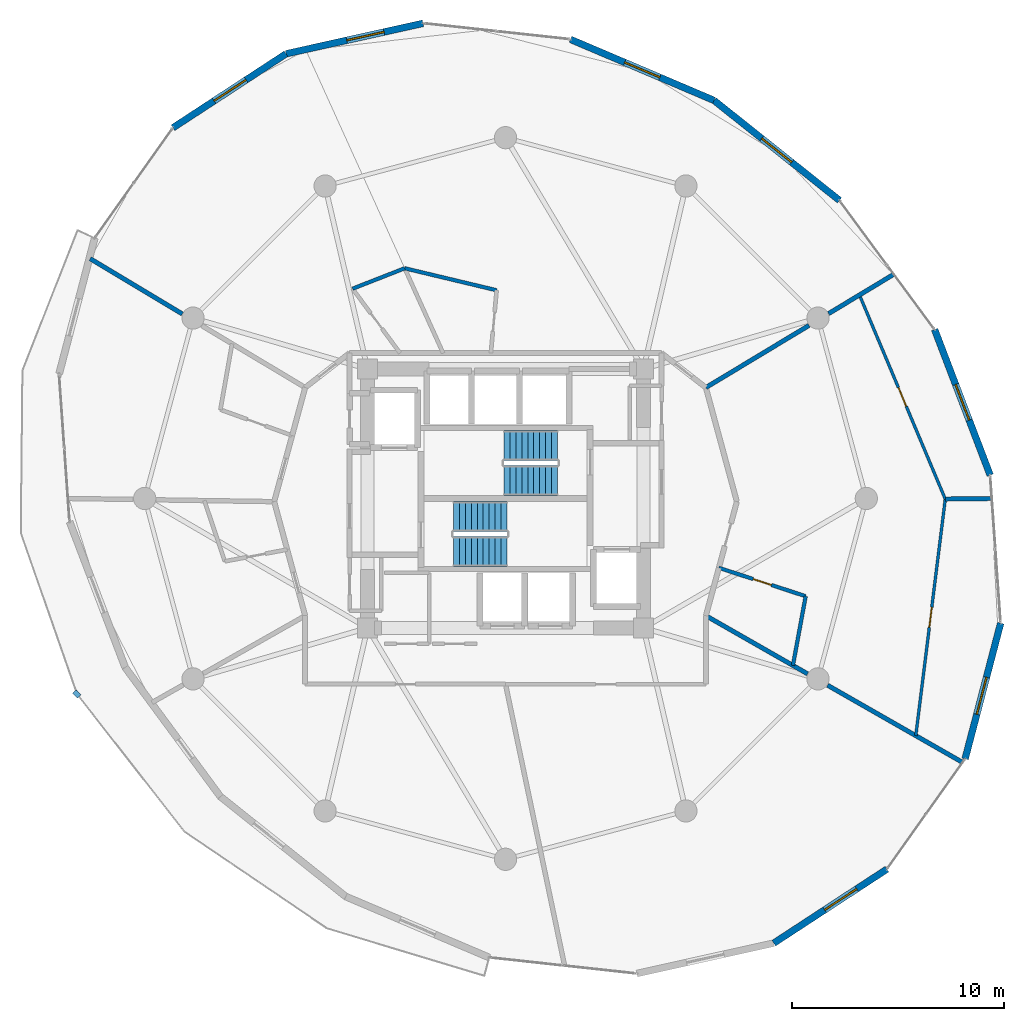
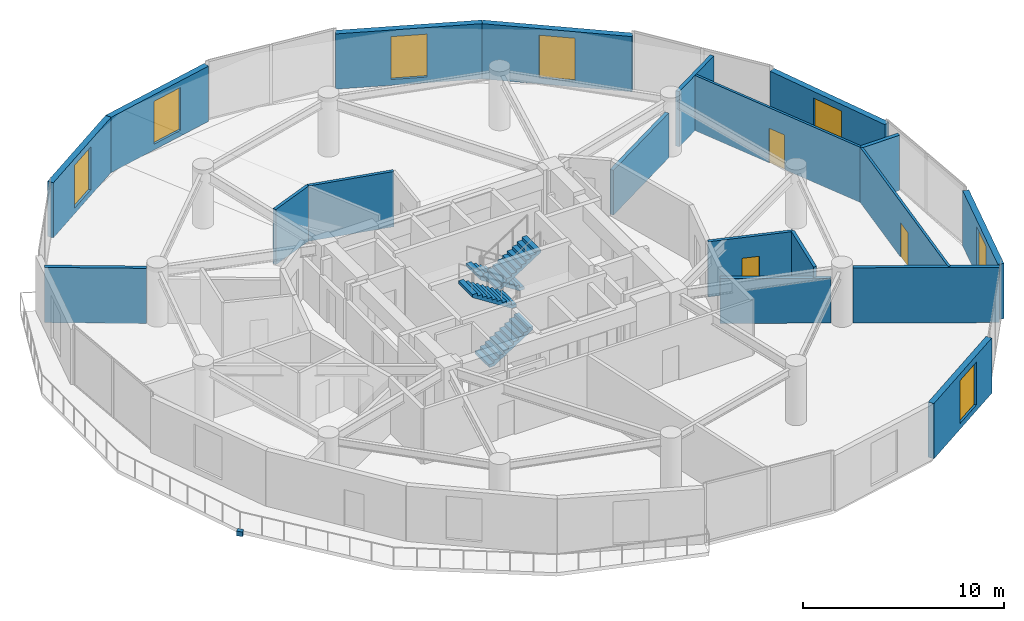
# One storey, part 20 of 22: 19 walls, 7 windows, 4 stair flights, 3 doors, 1 discrete accessory, 10 openings, 2 elements without a shape of their own.
"""IFC4 building model written with IfcOpenShell, lengths in metres."""

from ifc_helpers import new_model, si_unit, direction, frame, frame_2d, origin, origin_2d, place, context, subcontext, project, spatial, polyline, rectangle, outline, extrude, material, layer, layer_set, type_object, element, fill, aggregate, save


model = new_model("IFC4")

# Units and contexts
model_context = context("Model", 3, precision=1e-05, world=origin(), true_north=direction((0.0, 1.0)))
body_context = subcontext(model_context, "Body", "Model", "MODEL_VIEW")
ifc_project = project(units=[si_unit("LENGTHUNIT", "METRE"), si_unit("AREAUNIT", "SQUARE_METRE"), si_unit("VOLUMEUNIT", "CUBIC_METRE"), si_unit("PLANEANGLEUNIT", "RADIAN"), si_unit("MASSUNIT", "GRAM", prefix="KILO")], contexts=[model_context])

# Site, building, storey
site_placement = place(None, origin())
site = spatial("IfcSite", under=ifc_project, at=site_placement, CompositionType="ELEMENT")
building_placement = place(site_placement, origin())
building = spatial("IfcBuilding", under=site, at=building_placement, Name="Solvirekh Grand Hotel", CompositionType="ELEMENT")
storey_placement = place(building_placement, frame((0.0, 0.0, 149.39990234375)))
storey = spatial("IfcBuildingStorey", under=building, at=storey_placement, Name="L38", CompositionType="ELEMENT", Elevation=149.39990234375)

# Wall, opening, window
ifc_material_1 = material(Name="Precast concrete C45/55", Category="concrete")
ifc_layer_1 = layer(ifc_material_1, 0.320068359375)
ifc_layer_set_1 = layer_set([ifc_layer_1], Name="Precast concrete C45/55")
wall_type_1 = type_object("IfcWallType", Name="ExtLobbyWall_RC320", PredefinedType="SOLIDWALL", material=ifc_layer_set_1)
wall_1_placement = place(storey_placement, frame((23.33203125, -5.875, 0.0), z_axis=(0.0, 0.0, 1.0), x_axis=(-0.253586412891, -0.967312737018, 0.0)))
wall_1 = element("IfcWall", 1, at=wall_1_placement, inside=storey, type_object=wall_type_1, Name="L38 exterior structural wall chord 2", PredefinedType="SOLIDWALL", context=body_context, shape_type="SweptSolid", body=[
    extrude(rectangle(XDim=6.613037109375, YDim=0.320068359375, at=frame_2d((3.306640625, 0.0))), origin(), (0.0, 0.0, 1.0), 3.35009765625),
])
opening_1_placement = place(wall_1_placement, frame((2.638916015625, 0.0, 0.35009765625)))
opening_1 = element("IfcOpeningElement", 2, at=opening_1_placement, cuts=wall_1, Name="Opening W02", PredefinedType="OPENING", context=body_context, shape_type="SweptSolid", body=[
    extrude(rectangle(XDim=1.800048828125, YDim=2.60009765625, at=frame_2d((0.89990234375, 1.300048828125))), frame((0.0, 0.169921875, 0.0), z_axis=(0.0, -1.0, 0.0), x_axis=(1.0, 0.0, 0.0)), (0.0, 0.0, 1.0), 0.340087890625),
])
ifc_material_2 = material(Name="Low-E Tinted Bronze Laminated Glass", Category="aluminium")
window_type = type_object("IfcWindowType", Name="Win_LobbyExt_1800X2600", PartitioningType="SINGLE_PANEL", PredefinedType="WINDOW", material=ifc_material_2)
window_1_placement = place(opening_1_placement, origin())
window_1 = element("IfcWindow", 3, at=window_1_placement, inside=storey, type_object=window_type, Name="L38 panoramic bronze-framed window 2", OverallHeight=2.60009765625, OverallWidth=1.800048828125, PartitioningType="SINGLE_PANEL", PredefinedType="WINDOW", context=body_context, shape_type="SweptSolid", body=[
    extrude(rectangle(XDim=1.800048828125, YDim=2.60009765625, at=frame_2d((0.89990234375, 1.300048828125))), frame((0.0, 0.030029296875, 0.0), z_axis=(0.0, -1.0, 0.0), x_axis=(1.0, 0.0, 0.0)), (0.0, 0.0, 1.0), 0.06005859375),
])
fill(opening_1, window_1)

wall_2_placement = place(storey_placement, frame((20.219970703125, 7.9609375, 0.0), z_axis=(0.0, 0.0, 1.0), x_axis=(0.356358759138, -0.934349203877, 0.0)))
wall_2 = element("IfcWall", 4, at=wall_2_placement, inside=storey, type_object=wall_type_1, Name="L38 exterior structural wall chord 4", PredefinedType="SOLIDWALL", context=body_context, shape_type="SweptSolid", body=[
    extrude(rectangle(XDim=7.34619140625, YDim=0.320068359375, at=frame_2d((3.673095703125, 0.0))), origin(), (0.0, 0.0, 1.0), 3.35009765625),
])
opening_2_placement = place(wall_2_placement, frame((2.77294921875, 0.0, 0.35009765625)))
opening_2 = element("IfcOpeningElement", 5, at=opening_2_placement, cuts=wall_2, Name="Opening W02", PredefinedType="OPENING", context=body_context, shape_type="SweptSolid", body=[
    extrude(rectangle(XDim=1.800048828125, YDim=2.60009765625, at=frame_2d((0.89990234375, 1.300048828125))), frame((0.0, 0.169921875, 0.0), z_axis=(0.0, -1.0, 0.0), x_axis=(1.0, 0.0, 0.0)), (0.0, 0.0, 1.0), 0.340087890625),
])
window_2_placement = place(opening_2_placement, origin())
window_2 = element("IfcWindow", 6, at=window_2_placement, inside=storey, type_object=window_type, Name="L38 panoramic bronze-framed window 4", OverallHeight=2.60009765625, OverallWidth=1.800048828125, PartitioningType="SINGLE_PANEL", PredefinedType="WINDOW", context=body_context, shape_type="SweptSolid", body=[
    extrude(rectangle(XDim=1.800048828125, YDim=2.60009765625, at=frame_2d((0.89990234375, 1.300048828125))), frame((0.0, 0.030029296875, 0.0), z_axis=(0.0, -1.0, 0.0), x_axis=(1.0, 0.0, 0.0)), (0.0, 0.0, 1.0), 0.06005859375),
])
fill(opening_2, window_2)

wall_3_placement = place(storey_placement, frame((9.823974609375, 18.757080078125, 0.0), z_axis=(0.0, 0.0, 1.0), x_axis=(0.782061518956, -0.623201236013, 0.0)))
wall_3 = element("IfcWall", 7, at=wall_3_placement, inside=storey, type_object=wall_type_1, Name="L38 exterior structural wall chord 6", PredefinedType="SOLIDWALL", context=body_context, shape_type="SweptSolid", body=[
    extrude(rectangle(XDim=7.5595703125, YDim=0.320068359375, at=frame_2d((3.77978515625, 0.0))), origin(), (0.0, 0.0, 1.0), 3.35009765625),
])
opening_3_placement = place(wall_3_placement, frame((2.8798828125, 0.0, 0.35009765625)))
opening_3 = element("IfcOpeningElement", 8, at=opening_3_placement, cuts=wall_3, Name="Opening W02", PredefinedType="OPENING", context=body_context, shape_type="SweptSolid", body=[
    extrude(rectangle(XDim=1.800048828125, YDim=2.60009765625, at=frame_2d((0.89990234375, 1.300048828125))), frame((0.0, 0.169921875, 0.0), z_axis=(0.0, -1.0, 0.0), x_axis=(1.0, 0.0, 0.0)), (0.0, 0.0, 1.0), 0.340087890625),
])
window_3_placement = place(opening_3_placement, origin())
window_3 = element("IfcWindow", 9, at=window_3_placement, inside=storey, type_object=window_type, Name="L38 panoramic bronze-framed window 6", OverallHeight=2.60009765625, OverallWidth=1.800048828125, PartitioningType="SINGLE_PANEL", PredefinedType="WINDOW", context=body_context, shape_type="SweptSolid", body=[
    extrude(rectangle(XDim=1.800048828125, YDim=2.60009765625, at=frame_2d((0.89990234375, 1.300048828125))), frame((0.0, 0.030029296875, 0.0), z_axis=(0.0, -1.0, 0.0), x_axis=(1.0, 0.0, 0.0)), (0.0, 0.0, 1.0), 0.06005859375),
])
fill(opening_3, window_3)

wall_4_placement = place(storey_placement, frame((3.06298828125, 21.631103515625, 0.0), z_axis=(0.0, 0.0, 1.0), x_axis=(0.920301307609, -0.391210305607, 0.0)))
wall_4 = element("IfcWall", 10, at=wall_4_placement, inside=storey, type_object=wall_type_1, Name="L38 exterior structural wall chord 7", PredefinedType="SOLIDWALL", context=body_context, shape_type="SweptSolid", body=[
    extrude(rectangle(XDim=7.346435546875, YDim=0.320068359375, at=frame_2d((3.67333984375, 0.0))), origin(), (0.0, 0.0, 1.0), 3.35009765625),
])
opening_4_placement = place(wall_4_placement, frame((2.77294921875, 0.0, 0.35009765625)))
opening_4 = element("IfcOpeningElement", 11, at=opening_4_placement, cuts=wall_4, Name="Opening W02", PredefinedType="OPENING", context=body_context, shape_type="SweptSolid", body=[
    extrude(rectangle(XDim=1.800048828125, YDim=2.60009765625, at=frame_2d((0.89990234375, 1.300048828125))), frame((0.0, 0.169921875, 0.0), z_axis=(0.0, -1.0, 0.0), x_axis=(1.0, 0.0, 0.0)), (0.0, 0.0, 1.0), 0.340087890625),
])
window_4_placement = place(opening_4_placement, origin())
window_4 = element("IfcWindow", 12, at=window_4_placement, inside=storey, type_object=window_type, Name="L38 panoramic bronze-framed window 7", OverallHeight=2.60009765625, OverallWidth=1.800048828125, PartitioningType="SINGLE_PANEL", PredefinedType="WINDOW", context=body_context, shape_type="SweptSolid", body=[
    extrude(rectangle(XDim=1.800048828125, YDim=2.60009765625, at=frame_2d((0.89990234375, 1.300048828125))), frame((0.0, 0.030029296875, 0.0), z_axis=(0.0, -1.0, 0.0), x_axis=(1.0, 0.0, 0.0)), (0.0, 0.0, 1.0), 0.06005859375),
])
fill(opening_4, window_4)

wall_5_placement = place(storey_placement, frame((-10.340087890625, 20.952880859375, 0.0), z_axis=(0.0, 0.0, 1.0), x_axis=(0.976167944805, 0.217016459136, 0.0)))
wall_5 = element("IfcWall", 13, at=wall_5_placement, inside=storey, type_object=wall_type_1, Name="L38 exterior structural wall chord 9", PredefinedType="SOLIDWALL", context=body_context, shape_type="SweptSolid", body=[
    extrude(rectangle(XDim=6.61279296875, YDim=0.320068359375, at=frame_2d((3.306396484375, 0.0))), origin(), (0.0, 0.0, 1.0), 3.35009765625),
])
opening_5_placement = place(wall_5_placement, frame((2.930908203125, 0.0, 0.35009765625)))
opening_5 = element("IfcOpeningElement", 14, at=opening_5_placement, cuts=wall_5, Name="Opening W02", PredefinedType="OPENING", context=body_context, shape_type="SweptSolid", body=[
    extrude(rectangle(XDim=1.800048828125, YDim=2.60009765625, at=frame_2d((0.89990234375, 1.300048828125))), frame((0.0, 0.169921875, 0.0), z_axis=(0.0, -1.0, 0.0), x_axis=(1.0, 0.0, 0.0)), (0.0, 0.0, 1.0), 0.340087890625),
])
window_5_placement = place(opening_5_placement, origin())
window_5 = element("IfcWindow", 15, at=window_5_placement, inside=storey, type_object=window_type, Name="L38 panoramic bronze-framed window 9", OverallHeight=2.60009765625, OverallWidth=1.800048828125, PartitioningType="SINGLE_PANEL", PredefinedType="WINDOW", context=body_context, shape_type="SweptSolid", body=[
    extrude(rectangle(XDim=1.800048828125, YDim=2.60009765625, at=frame_2d((0.89990234375, 1.300048828125))), frame((0.0, 0.030029296875, 0.0), z_axis=(0.0, -1.0, 0.0), x_axis=(1.0, 0.0, 0.0)), (0.0, 0.0, 1.0), 0.06005859375),
])
fill(opening_5, window_5)

wall_6_placement = place(storey_placement, frame((-15.6708984375, 17.467041015625, 0.0), z_axis=(0.0, 0.0, 1.0), x_axis=(0.83694732993, 0.547283442947, 0.0)))
wall_6 = element("IfcWall", 16, at=wall_6_placement, inside=storey, type_object=wall_type_1, Name="L38 exterior structural wall chord 10", PredefinedType="SOLIDWALL", context=body_context, shape_type="SweptSolid", body=[
    extrude(rectangle(XDim=6.369384765625, YDim=0.320068359375, at=frame_2d((3.1845703125, 0.0))), origin(), (0.0, 0.0, 1.0), 3.35009765625),
])
opening_6_placement = place(wall_6_placement, frame((2.318115234375, 0.0, 0.35009765625)))
opening_6 = element("IfcOpeningElement", 17, at=opening_6_placement, cuts=wall_6, Name="Opening W02", PredefinedType="OPENING", context=body_context, shape_type="SweptSolid", body=[
    extrude(rectangle(XDim=1.800048828125, YDim=2.60009765625, at=frame_2d((0.89990234375, 1.300048828125))), frame((0.0, 0.169921875, 0.0), z_axis=(0.0, -1.0, 0.0), x_axis=(1.0, 0.0, 0.0)), (0.0, 0.0, 1.0), 0.340087890625),
])
window_6_placement = place(opening_6_placement, origin())
window_6 = element("IfcWindow", 18, at=window_6_placement, inside=storey, type_object=window_type, Name="L38 panoramic bronze-framed window 10", OverallHeight=2.60009765625, OverallWidth=1.800048828125, PartitioningType="SINGLE_PANEL", PredefinedType="WINDOW", context=body_context, shape_type="SweptSolid", body=[
    extrude(rectangle(XDim=1.800048828125, YDim=2.60009765625, at=frame_2d((0.89990234375, 1.300048828125))), frame((0.0, 0.030029296875, 0.0), z_axis=(0.0, -1.0, 0.0), x_axis=(1.0, 0.0, 0.0)), (0.0, 0.0, 1.0), 0.06005859375),
])
fill(opening_6, window_6)

wall_7_placement = place(storey_placement, frame((17.970947265625, -17.467041015625, 0.0), z_axis=(0.0, 0.0, 1.0), x_axis=(-0.836958810109, -0.547265886185, 0.0)))
wall_7 = element("IfcWall", 19, at=wall_7_placement, inside=storey, type_object=wall_type_1, Name="L38 exterior structural wall chord 20", PredefinedType="SOLIDWALL", context=body_context, shape_type="SweptSolid", body=[
    extrude(rectangle(XDim=6.36962890625, YDim=0.320068359375, at=frame_2d((3.184814453125, 0.0))), origin(), (0.0, 0.0, 1.0), 3.35009765625),
])
opening_7_placement = place(wall_7_placement, frame((1.700927734375, 0.0, 0.35009765625)))
opening_7 = element("IfcOpeningElement", 20, at=opening_7_placement, cuts=wall_7, Name="Opening W02", PredefinedType="OPENING", context=body_context, shape_type="SweptSolid", body=[
    extrude(rectangle(XDim=1.800048828125, YDim=2.60009765625, at=frame_2d((0.89990234375, 1.300048828125))), frame((0.0, 0.169921875, 0.0), z_axis=(0.0, -1.0, 0.0), x_axis=(1.0, 0.0, 0.0)), (0.0, 0.0, 1.0), 0.340087890625),
])
window_7_placement = place(opening_7_placement, origin())
window_7 = element("IfcWindow", 21, at=window_7_placement, inside=storey, type_object=window_type, Name="L38 panoramic bronze-framed window 20", OverallHeight=2.60009765625, OverallWidth=1.800048828125, PartitioningType="SINGLE_PANEL", PredefinedType="WINDOW", context=body_context, shape_type="SweptSolid", body=[
    extrude(rectangle(XDim=1.800048828125, YDim=2.60009765625, at=frame_2d((0.89990234375, 1.300048828125))), frame((0.0, 0.030029296875, 0.0), z_axis=(0.0, -1.0, 0.0), x_axis=(1.0, 0.0, 0.0)), (0.0, 0.0, 1.0), 0.06005859375),
])
fill(opening_7, window_7)

# Wall, opening, door
ifc_material_3 = material(Name="Acoustic Gypsum Partition Assembly")
ifc_layer_2 = layer(ifc_material_3, 0.135009765625)
ifc_layer_set_2 = layer_set([ifc_layer_2], Name="Acoustic Gypsum Partition Assembly")
wall_type_2 = type_object("IfcWallType", Name="Part_RoomInt_135", PredefinedType="PARTITIONING", material=ifc_layer_set_2)
wall_8_placement = place(storey_placement, frame((19.33203125, -11.176025390625, 0.0), z_axis=(0.0, 0.0, 1.0), x_axis=(0.123537260256, 0.992339934361, 0.0)))
wall_8 = element("IfcWall", 22, at=wall_8_placement, inside=storey, type_object=wall_type_2, Name="L38 Executive Suite 4005 Living Room bedroom screen wall", PredefinedType="PARTITIONING", context=body_context, shape_type="SweptSolid", body=[
    extrude(rectangle(XDim=11.235107421875, YDim=0.135009765625, at=frame_2d((5.61767578125, 0.0))), origin(), (0.0, 0.0, 1.0), 3.35009765625),
])
opening_8_placement = place(wall_8_placement, frame((5.14306640625, 0.0, 0.0)))
opening_8 = element("IfcOpeningElement", 23, at=opening_8_placement, cuts=wall_8, Name="Opening D10", PredefinedType="OPENING", context=body_context, shape_type="SweptSolid", body=[
    extrude(rectangle(XDim=0.949951171875, YDim=2.10009765625, at=frame_2d((0.47509765625, 1.050048828125))), frame((0.0, 0.07763671875, 0.0), z_axis=(0.0, -1.0, 0.0), x_axis=(1.0, 0.0, 0.0)), (0.0, 0.0, 1.0), 0.155029296875),
])
ifc_material_4 = material(Name="Anodized Bronze Aluminium 6063-T6", Category="aluminium")
door_type_1 = type_object("IfcDoorType", Name="Door_RoomInt_950X2100", OperationType="NOTDEFINED", PredefinedType="DOOR", material=ifc_material_4)
door_1_placement = place(opening_8_placement, origin())
door_1 = element("IfcDoor", 24, at=door_1_placement, inside=storey, type_object=door_type_1, Name="L38 Executive Suite 4005 Living Room master bedroom door", OperationType="SINGLE_SWING_LEFT", OverallHeight=2.10009765625, OverallWidth=0.949951171875, PredefinedType="DOOR", context=body_context, shape_type="SweptSolid", body=[
    extrude(rectangle(XDim=0.949951171875, YDim=2.10009765625, at=frame_2d((0.47509765625, 1.050048828125))), frame((0.0, 0.02490234375, 0.0), z_axis=(0.0, -1.0, 0.0), x_axis=(1.0, 0.0, 0.0)), (0.0, 0.0, 1.0), 0.050048828125),
])
fill(opening_8, door_1)

wall_9_placement = place(storey_placement, frame((20.719970703125, -0.027099609375, 0.0), z_axis=(0.0, 0.0, 1.0), x_axis=(-0.387613276128, 0.921822080539, 0.0)))
wall_9 = element("IfcWall", 25, at=wall_9_placement, inside=storey, type_object=wall_type_2, Name="L38 Executive Suite 4005 Panorama Suite Study bedroom screen wall", PredefinedType="PARTITIONING", context=body_context, shape_type="SweptSolid", body=[
    extrude(rectangle(XDim=10.430419921875, YDim=0.135009765625, at=frame_2d((5.21533203125, 0.0))), origin(), (0.0, 0.0, 1.0), 3.35009765625),
])
opening_9_placement = place(wall_9_placement, frame((4.739990234375, 0.0, 0.0)))
opening_9 = element("IfcOpeningElement", 26, at=opening_9_placement, cuts=wall_9, Name="Opening D10", PredefinedType="OPENING", context=body_context, shape_type="SweptSolid", body=[
    extrude(rectangle(XDim=0.949951171875, YDim=2.10009765625, at=frame_2d((0.47509765625, 1.050048828125))), frame((0.0, 0.07763671875, 0.0), z_axis=(0.0, -1.0, 0.0), x_axis=(1.0, 0.0, 0.0)), (0.0, 0.0, 1.0), 0.155029296875),
])
door_2_placement = place(opening_9_placement, origin())
door_2 = element("IfcDoor", 27, at=door_2_placement, inside=storey, type_object=door_type_1, Name="L38 Executive Suite 4005 Panorama Suite Study master bedroom door", OperationType="SINGLE_SWING_RIGHT", OverallHeight=2.10009765625, OverallWidth=0.949951171875, PredefinedType="DOOR", context=body_context, shape_type="SweptSolid", body=[
    extrude(rectangle(XDim=0.949951171875, YDim=2.10009765625, at=frame_2d((0.47509765625, 1.050048828125))), frame((0.0, 0.02490234375, 0.0), z_axis=(0.0, -1.0, 0.0), x_axis=(1.0, 0.0, 0.0)), (0.0, 0.0, 1.0), 0.050048828125),
])
fill(opening_9, door_2)

# Walls
ifc_layer_3 = layer(ifc_material_3, 0.2099609375)
ifc_layer_set_3 = layer_set([ifc_layer_3], Name="Acoustic Gypsum Partition Assembly")
wall_type_3 = type_object("IfcWallType", Name="Part_SuiteDemise_210", PredefinedType="PARTITIONING", material=ifc_layer_set_3)
wall_10_placement = place(storey_placement, frame((9.43994140625, 5.22509765625, 0.0), z_axis=(0.0, 0.0, 1.0), x_axis=(0.856412995276, 0.516291372698, 0.0)))
element("IfcWall", 28, at=wall_10_placement, inside=storey, type_object=wall_type_3, Name="L38 suite radial wall 2 (A)", PredefinedType="PARTITIONING", context=body_context, shape_type="SweptSolid", body=[
    extrude(rectangle(XDim=5.675048828125, YDim=0.2099609375, at=frame_2d((2.83740234375, 0.0))), origin(), (0.0, 0.0, 1.0), 2.717041015625),
])
wall_11_placement = place(storey_placement, frame((15.22412109375, 8.7119140625, 0.0), z_axis=(0.0, 0.0, 1.0), x_axis=(0.856399371432, 0.516313970963, 0.0)))
element("IfcWall", 29, at=wall_11_placement, inside=storey, type_object=wall_type_3, Name="L38 suite radial wall 2 (B)", PredefinedType="PARTITIONING", context=body_context, shape_type="SweptSolid", body=[
    extrude(rectangle(XDim=3.552001953125, YDim=0.2099609375, at=frame_2d((1.77587890625, 0.0))), origin(), (0.0, 0.0, 1.0), 3.35009765625),
])
wall_12_placement = place(storey_placement, frame((-15.22998046875, 8.697021484375, 0.0), z_axis=(0.0, 0.0, 1.0), x_axis=(-0.857667413019, 0.514204831409, 0.0)))
element("IfcWall", 30, at=wall_12_placement, inside=storey, type_object=wall_type_3, Name="L38 suite radial wall 6 (B)", PredefinedType="PARTITIONING", context=body_context, shape_type="SweptSolid", body=[
    extrude(rectangle(XDim=5.060302734375, YDim=0.2099609375, at=frame_2d((2.5302734375, 0.0))), origin(), (0.0, 0.0, 1.0), 3.35009765625),
])
wall_13_placement = place(storey_placement, frame((9.43994140625, -5.52490234375, 0.0), z_axis=(0.0, 0.0, 1.0), x_axis=(0.868338411793, -0.495972179265, 0.0)))
element("IfcWall", 31, at=wall_13_placement, inside=storey, type_object=wall_type_3, Name="L38 suite radial wall 12 (A)", PredefinedType="PARTITIONING", context=body_context, shape_type="SweptSolid", body=[
    extrude(rectangle(XDim=5.5185546875, YDim=0.2099609375, at=frame_2d((2.75927734375, 0.0))), origin(), (0.0, 0.0, 1.0), 2.717041015625),
])
wall_14_placement = place(storey_placement, frame((15.176025390625, -8.801025390625, 0.0), z_axis=(0.0, 0.0, 1.0), x_axis=(0.868298798987, -0.496041526162, 0.0)))
element("IfcWall", 32, at=wall_14_placement, inside=storey, type_object=wall_type_3, Name="L38 suite radial wall 12 (B)", PredefinedType="PARTITIONING", context=body_context, shape_type="SweptSolid", body=[
    extrude(rectangle(XDim=7.28759765625, YDim=0.2099609375, at=frame_2d((3.643798828125, 0.0))), origin(), (0.0, 0.0, 1.0), 3.35009765625),
])
wall_15_placement = place(storey_placement, frame((20.719970703125, -0.027099609375, 0.0), z_axis=(0.0, 0.0, 1.0), x_axis=(0.999921014979, 0.012568365153, 0.0)))
element("IfcWall", 33, at=wall_15_placement, inside=storey, type_object=wall_type_3, Name="L38 Executive Suite 4005 Living Room dividing partition 1", PredefinedType="PARTITIONING", context=body_context, shape_type="SweptSolid", body=[
    extrude(rectangle(XDim=2.15625, YDim=0.2099609375, at=frame_2d((1.078125, 0.0))), origin(), (0.0, 0.0, 1.0), 3.35009765625),
])
ifc_layer_4 = layer(ifc_material_3, 0.175048828125)
ifc_layer_set_4 = layer_set([ifc_layer_4], Name="Acoustic Gypsum Partition Assembly")
wall_type_4 = type_object("IfcWallType", Name="Plumb_Ensuite_175", PredefinedType="PLUMBINGWALL", material=ifc_layer_set_4)
wall_16_placement = place(storey_placement, frame((-4.75, 10.845947265625, 0.0), z_axis=(0.0, 0.0, 1.0), x_axis=(0.972580508787, -0.232566450563, 0.0)))
element("IfcWall", 34, at=wall_16_placement, inside=storey, type_object=wall_type_4, Name="L38 En-suite Bathroom 4001 outer plumbing wall", PredefinedType="PLUMBINGWALL", context=body_context, shape_type="SweptSolid", body=[
    extrude(rectangle(XDim=4.4541015625, YDim=0.175048828125, at=frame_2d((2.22705078125, 0.0))), origin(), (0.0, 0.0, 1.0), 3.35009765625),
])
wall_17_placement = place(storey_placement, frame((-7.20703125, 9.883056640625, 0.0), z_axis=(0.0, 0.0, 1.0), x_axis=(0.931057024994, 0.364873698984, 0.0)))
element("IfcWall", 35, at=wall_17_placement, inside=storey, type_object=wall_type_4, Name="L38 En-suite Bathroom 4002 outer plumbing wall", PredefinedType="PLUMBINGWALL", context=body_context, shape_type="SweptSolid", body=[
    extrude(rectangle(XDim=2.638916015625, YDim=0.175048828125, at=frame_2d((1.3193359375, 0.0))), origin(), (0.0, 0.0, 1.0), 3.35009765625),
])
wall_18_placement = place(storey_placement, frame((13.5419921875, -7.867919921875, 0.0), z_axis=(0.0, 0.0, 1.0), x_axis=(0.180879603069, 0.983505246144, 0.0)))
element("IfcWall", 36, at=wall_18_placement, inside=storey, type_object=wall_type_4, Name="L38 En-suite Bathroom 4005 outer plumbing wall", PredefinedType="PLUMBINGWALL", context=body_context, shape_type="SweptSolid", body=[
    extrude(rectangle(XDim=3.317626953125, YDim=0.175048828125, at=frame_2d((1.65869140625, 0.0))), origin(), (0.0, 0.0, 1.0), 3.35009765625),
])

# Wall, opening, door
wall_19_placement = place(storey_placement, frame((10.052978515625, -3.26806640625, 0.0), z_axis=(0.0, 0.0, 1.0), x_axis=(0.950489200724, -0.310757589299, 0.0)))
wall_19 = element("IfcWall", 37, at=wall_19_placement, inside=storey, type_object=wall_type_4, Name="L38 En-suite Bathroom 4005 entry plumbing wall", PredefinedType="PLUMBINGWALL", context=body_context, shape_type="SweptSolid", body=[
    extrude(rectangle(XDim=4.302001953125, YDim=0.175048828125, at=frame_2d((2.15087890625, 0.0))), origin(), (0.0, 0.0, 1.0), 3.35009765625),
])
opening_10_placement = place(wall_19_placement, frame((1.700927734375, 0.0, 0.0)))
opening_10 = element("IfcOpeningElement", 38, at=opening_10_placement, cuts=wall_19, Name="Opening D09", PredefinedType="OPENING", context=body_context, shape_type="SweptSolid", body=[
    extrude(rectangle(XDim=0.89990234375, YDim=2.10009765625, at=frame_2d((0.449951171875, 1.050048828125))), frame((0.0, 0.09765625, 0.0), z_axis=(0.0, -1.0, 0.0), x_axis=(1.0, 0.0, 0.0)), (0.0, 0.0, 1.0), 0.195068359375),
])
door_type_2 = type_object("IfcDoorType", Name="Door_Ensuite_900X2100", OperationType="NOTDEFINED", PredefinedType="DOOR", material=ifc_material_4)
door_3_placement = place(opening_10_placement, origin())
door_3 = element("IfcDoor", 39, at=door_3_placement, inside=storey, type_object=door_type_2, Name="L38 En-suite Bathroom 4005 door", OperationType="SINGLE_SWING_LEFT", OverallHeight=2.10009765625, OverallWidth=0.89990234375, PredefinedType="DOOR", context=body_context, shape_type="SweptSolid", body=[
    extrude(rectangle(XDim=0.89990234375, YDim=2.10009765625, at=frame_2d((0.449951171875, 1.050048828125))), frame((0.0, 0.02490234375, 0.0), z_axis=(0.0, -1.0, 0.0), x_axis=(1.0, 0.0, 0.0)), (0.0, 0.0, 1.0), 0.050048828125),
])
fill(opening_10, door_3)

# Stair, stair flights
ifc_material_5 = material(Name="Concrete C40/50", Category="concrete")
stair_type = type_object("IfcStairType", Name="Stair_Core_1450", PredefinedType="HALF_TURN_STAIR", material=ifc_material_5)
stair_1_placement = place(storey_placement, origin())
stair_1 = element("IfcStair", 40, at=stair_1_placement, inside=storey, type_object=stair_type, Name="L38 Enclosed exit stair ST-1", PredefinedType="HALF_TURN_STAIR")
stair_flight_type = type_object("IfcStairFlightType", Name="Flight_Core_1450", PredefinedType="STRAIGHT", material=ifc_material_5)
stair_flight_1_placement = place(storey_placement, frame((-2.449951171875, -2.5, 0.0), z_axis=(0.0, 0.0, 1.0), x_axis=(1.0, 0.0, 0.0)))
stair_flight_1 = element("IfcStairFlight", 41, at=stair_flight_1_placement, type_object=stair_flight_type, Name="ST-1 flight 1", NumberOfRisers=10, NumberOfTreads=9, PredefinedType="STRAIGHT", RiserHeight=0.18, TreadLength=0.28, context=body_context, shape_type="SweptSolid", body=[
    extrude(outline(polyline([(0.0, 0.0), (0.0, 0.179931640625), (0.280029296875, 0.179931640625), (0.280029296875, 0.360107421875), (0.56005859375, 0.360107421875), (0.56005859375, 0.5400390625), (0.840087890625, 0.5400390625), (0.840087890625, 0.719970703125), (1.1201171875, 0.719970703125), (1.1201171875, 0.89990234375), (1.39990234375, 0.89990234375), (1.39990234375, 1.080078125), (1.679931640625, 1.080078125), (1.679931640625, 1.260009765625), (1.9599609375, 1.260009765625), (1.9599609375, 1.43994140625), (2.239990234375, 1.43994140625), (2.239990234375, 1.6201171875), (2.52001953125, 1.6201171875), (2.52001953125, 1.800048828125), (2.52001953125, 1.44189453125), (0.277099609375, 0.0), (0.0, 0.0)])), frame((0.0, 0.699951171875, 0.0), z_axis=(0.0, -1.0, 0.0), x_axis=(1.0, 0.0, 0.0)), (0.0, 0.0, 1.0), 1.39990234375),
])
stair_flight_2_placement = place(storey_placement, frame((0.070068359375, -0.85009765625, 1.800048828125), z_axis=(0.0, 0.0, 1.0), x_axis=(-1.0, 0.0, 0.0)))
stair_flight_2 = element("IfcStairFlight", 42, at=stair_flight_2_placement, type_object=stair_flight_type, Name="ST-1 flight 2", NumberOfRisers=10, NumberOfTreads=9, PredefinedType="STRAIGHT", RiserHeight=0.18, TreadLength=0.28, context=body_context, shape_type="SweptSolid", body=[
    extrude(outline(polyline([(0.0, 0.0), (0.0, 0.179931640625), (0.280029296875, 0.179931640625), (0.280029296875, 0.360107421875), (0.56005859375, 0.360107421875), (0.56005859375, 0.5400390625), (0.840087890625, 0.5400390625), (0.840087890625, 0.719970703125), (1.1201171875, 0.719970703125), (1.1201171875, 0.89990234375), (1.39990234375, 0.89990234375), (1.39990234375, 1.080078125), (1.679931640625, 1.080078125), (1.679931640625, 1.260009765625), (1.9599609375, 1.260009765625), (1.9599609375, 1.43994140625), (2.239990234375, 1.43994140625), (2.239990234375, 1.6201171875), (2.52001953125, 1.6201171875), (2.52001953125, 1.800048828125), (2.52001953125, 1.44189453125), (0.277099609375, 0.0), (0.0, 0.0)])), frame((0.0, 0.699951171875, 0.0), z_axis=(0.0, -1.0, 0.0), x_axis=(1.0, 0.0, 0.0)), (0.0, 0.0, 1.0), 1.39990234375),
])
aggregate(stair_1, [stair_flight_1, stair_flight_2])

stair_2_placement = place(storey_placement, origin())
stair_2 = element("IfcStair", 43, at=stair_2_placement, inside=storey, type_object=stair_type, Name="L38 Enclosed exit stair ST-2", PredefinedType="HALF_TURN_STAIR")
stair_flight_3_placement = place(storey_placement, frame((2.449951171875, 2.5, 0.0), z_axis=(0.0, 0.0, 1.0), x_axis=(-1.0, 0.0, 0.0)))
stair_flight_3 = element("IfcStairFlight", 44, at=stair_flight_3_placement, type_object=stair_flight_type, Name="ST-2 flight 1", NumberOfRisers=10, NumberOfTreads=9, PredefinedType="STRAIGHT", RiserHeight=0.18, TreadLength=0.28, context=body_context, shape_type="SweptSolid", body=[
    extrude(outline(polyline([(0.0, 0.0), (0.0, 0.179931640625), (0.280029296875, 0.179931640625), (0.280029296875, 0.360107421875), (0.56005859375, 0.360107421875), (0.56005859375, 0.5400390625), (0.840087890625, 0.5400390625), (0.840087890625, 0.719970703125), (1.1201171875, 0.719970703125), (1.1201171875, 0.89990234375), (1.39990234375, 0.89990234375), (1.39990234375, 1.080078125), (1.679931640625, 1.080078125), (1.679931640625, 1.260009765625), (1.9599609375, 1.260009765625), (1.9599609375, 1.43994140625), (2.239990234375, 1.43994140625), (2.239990234375, 1.6201171875), (2.52001953125, 1.6201171875), (2.52001953125, 1.800048828125), (2.52001953125, 1.44189453125), (0.277099609375, 0.0), (0.0, 0.0)])), frame((0.0, 0.699951171875, 0.0), z_axis=(0.0, -1.0, 0.0), x_axis=(1.0, 0.0, 0.0)), (0.0, 0.0, 1.0), 1.39990234375),
])
stair_flight_4_placement = place(storey_placement, frame((-0.070068359375, 0.85009765625, 1.800048828125), z_axis=(0.0, 0.0, 1.0), x_axis=(1.0, 0.0, 0.0)))
stair_flight_4 = element("IfcStairFlight", 45, at=stair_flight_4_placement, type_object=stair_flight_type, Name="ST-2 flight 2", NumberOfRisers=10, NumberOfTreads=9, PredefinedType="STRAIGHT", RiserHeight=0.18, TreadLength=0.28, context=body_context, shape_type="SweptSolid", body=[
    extrude(outline(polyline([(0.0, 0.0), (0.0, 0.179931640625), (0.280029296875, 0.179931640625), (0.280029296875, 0.360107421875), (0.56005859375, 0.360107421875), (0.56005859375, 0.5400390625), (0.840087890625, 0.5400390625), (0.840087890625, 0.719970703125), (1.1201171875, 0.719970703125), (1.1201171875, 0.89990234375), (1.39990234375, 0.89990234375), (1.39990234375, 1.080078125), (1.679931640625, 1.080078125), (1.679931640625, 1.260009765625), (1.9599609375, 1.260009765625), (1.9599609375, 1.43994140625), (2.239990234375, 1.43994140625), (2.239990234375, 1.6201171875), (2.52001953125, 1.6201171875), (2.52001953125, 1.800048828125), (2.52001953125, 1.44189453125), (0.277099609375, 0.0), (0.0, 0.0)])), frame((0.0, 0.699951171875, 0.0), z_axis=(0.0, -1.0, 0.0), x_axis=(1.0, 0.0, 0.0)), (0.0, 0.0, 1.0), 1.39990234375),
])
aggregate(stair_2, [stair_flight_3, stair_flight_4])

# Discrete accessory
ifc_material_6 = material(Name="Steel S355", Category="steel")
discrete_accessory_type = type_object("IfcDiscreteAccessoryType", Name="Acc_ThermalBracket", PredefinedType="BRACKET", material=ifc_material_6)
discrete_accessory_placement = place(storey_placement, frame((-20.199951171875, -9.2109375, -0.27978515625), z_axis=(0.0, 0.0, 1.0), x_axis=(0.693401828276, -0.72055111168, 0.0)))
element("IfcDiscreteAccessory", 46, at=discrete_accessory_placement, inside=storey, type_object=discrete_accessory_type, Name="L38 balcony thermal-break bracket", PredefinedType="BRACKET", context=body_context, shape_type="SweptSolid", body=[
    extrude(rectangle(XDim=0.320068359375, YDim=0.239990234375, at=origin_2d()), origin(), (0.0, 0.0, 1.0), 0.280029296875),
])

save(model, "model.ifc")
